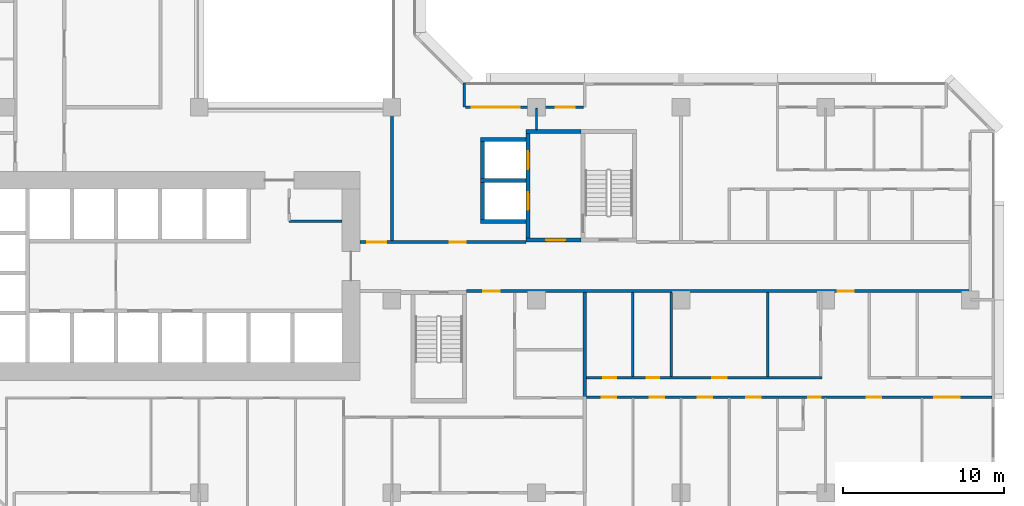
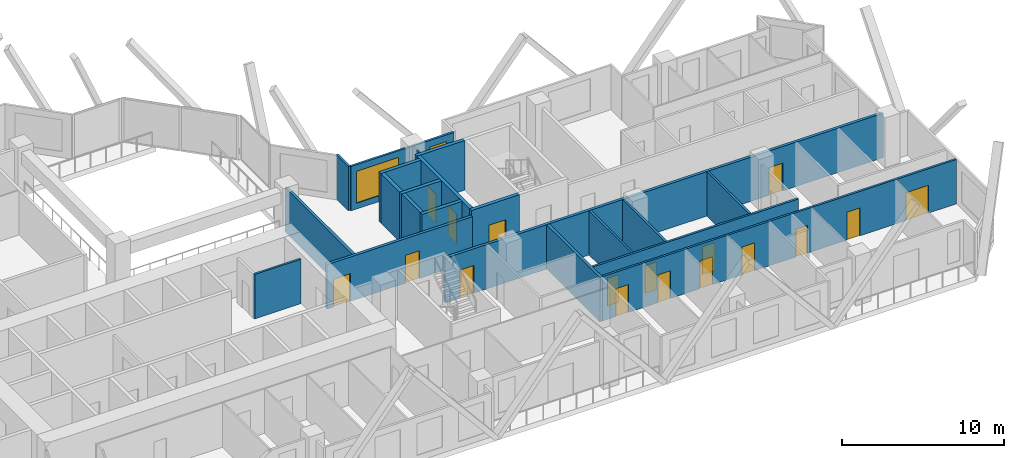
# One storey, part 7 of 16: 21 walls, 17 doors, 2 windows, 19 openings.
"""IFC4 building model written with IfcOpenShell, lengths in metres."""

from ifc_helpers import new_model, si_unit, direction, frame, frame_2d, origin, place, context, subcontext, project, spatial, rectangle, extrude, material, layer, layer_set, type_object, element, fill, save


model = new_model("IFC4")

# Units and contexts
model_context = context("Model", 3, precision=1e-05, world=origin(), true_north=direction((0.0, 1.0)))
body_context = subcontext(model_context, "Body", "Model", "MODEL_VIEW")
ifc_project = project(units=[si_unit("LENGTHUNIT", "METRE"), si_unit("AREAUNIT", "SQUARE_METRE"), si_unit("VOLUMEUNIT", "CUBIC_METRE"), si_unit("PLANEANGLEUNIT", "RADIAN"), si_unit("MASSUNIT", "GRAM", prefix="KILO")], contexts=[model_context])

# Site, building, storey
site_placement = place(None, origin())
site = spatial("IfcSite", under=ifc_project, at=site_placement, CompositionType="ELEMENT")
building_placement = place(site_placement, origin())
building = spatial("IfcBuilding", under=site, at=building_placement, Name="Chenar Terraces", CompositionType="ELEMENT")
storey_placement = place(building_placement, frame((0.0, 0.0, 71.39990234375)))
storey = spatial("IfcBuildingStorey", under=building, at=storey_placement, Name="L15", CompositionType="ELEMENT", Elevation=71.39990234375)

# Wall
ifc_material_1 = material(Name="Gypsum board on steel studs", Category="steel")
ifc_layer_1 = layer(ifc_material_1, 0.14990234375)
ifc_layer_set_1 = layer_set([ifc_layer_1], Name="Gypsum board on steel studs")
wall_type_1 = type_object("IfcWallType", Name="Core partition 150 gypsum board", PredefinedType="PARTITIONING", material=ifc_layer_set_1)
wall_1_placement = place(storey_placement, frame((29.60009765625, 16.89990234375, 0.0), z_axis=(0.0, 0.0, 1.0), x_axis=(1.0, 0.0, 0.0)))
element("IfcWall", 1, at=wall_1_placement, inside=storey, type_object=wall_type_1, Name="Core partition CP1 vestibule room south wall", PredefinedType="PARTITIONING", context=body_context, shape_type="SweptSolid", body=[
    extrude(rectangle(XDim=3.2998046875, YDim=0.14990234375, at=frame_2d((1.64990234375, 0.0))), origin(), (0.0, 0.0, 1.0), 3.35009765625),
])

# Wall, opening, door
ifc_material_2 = material(Name="Concrete C70/85", Category="concrete")
ifc_layer_2 = layer(ifc_material_2, 0.25)
ifc_layer_set_2 = layer_set([ifc_layer_2], Name="Concrete C70/85")
wall_type_2 = type_object("IfcWallType", Name="Core wall 250 Concrete C70/85", PredefinedType="SHEAR", material=ifc_layer_set_2)
wall_2_placement = place(storey_placement, frame((44.35009765625, 15.72509765625, 0.0), z_axis=(0.0, 0.0, 1.0), x_axis=(1.0, 0.0, 0.0)))
wall_2 = element("IfcWall", 2, at=wall_2_placement, inside=storey, type_object=wall_type_2, Name="Core wall F3_LS L15", PredefinedType="SHEAR", context=body_context, shape_type="SweptSolid", body=[
    extrude(rectangle(XDim=3.4248046875, YDim=0.25, at=frame_2d((1.71240234375, 0.0))), origin(), (0.0, 0.0, 1.0), 3.75),
])
opening_1_placement = place(wall_2_placement, frame((1.25, 0.0, 0.0)))
opening_1 = element("IfcOpeningElement", 3, at=opening_1_placement, cuts=wall_2, Name="Opening DL15-C10", PredefinedType="OPENING", context=body_context, shape_type="SweptSolid", body=[
    extrude(rectangle(XDim=1.199951171875, YDim=2.199951171875, at=frame_2d((0.60009765625, 1.10009765625))), frame((0.0, 0.135009765625, 0.0), z_axis=(0.0, -1.0, 0.0), x_axis=(1.0, 0.0, 0.0)), (0.0, 0.0, 1.0), 0.27001953125),
])
ifc_material_3 = material(Name="Steel-framed fire-resisting door leaf", Category="steel")
door_type_1 = type_object("IfcDoorType", Name="Lobby fire door FD60 1200 x 2200", OperationType="SINGLE_SWING_LEFT", PredefinedType="DOOR", material=ifc_material_3)
door_1_placement = place(opening_1_placement, origin())
door_1 = element("IfcDoor", 4, at=door_1_placement, inside=storey, type_object=door_type_1, Name="Core door DL15-C10", OperationType="SINGLE_SWING_RIGHT", OverallHeight=2.199951171875, OverallWidth=1.199951171875, PredefinedType="DOOR", context=body_context, shape_type="SweptSolid", body=[
    extrude(rectangle(XDim=1.199951171875, YDim=2.199951171875, at=frame_2d((0.60009765625, 1.10009765625))), frame((0.0, 0.02490234375, 0.0), z_axis=(0.0, -1.0, 0.0), x_axis=(1.0, 0.0, 0.0)), (0.0, 0.0, 1.0), 0.050048828125),
])
fill(opening_1, door_1)

# Wall
wall_3_placement = place(storey_placement, frame((44.35009765625, 22.47509765625, 0.0), z_axis=(0.0, 0.0, 1.0), x_axis=(1.0, 0.0, 0.0)))
element("IfcWall", 5, at=wall_3_placement, inside=storey, type_object=wall_type_2, Name="Core wall F3_LN L15", PredefinedType="SHEAR", context=body_context, shape_type="SweptSolid", body=[
    extrude(rectangle(XDim=3.4248046875, YDim=0.25, at=frame_2d((1.71240234375, 0.0))), origin(), (0.0, 0.0, 1.0), 3.75),
])

# Wall, openings, doors
wall_4_placement = place(storey_placement, frame((44.47509765625, 15.85009765625, 0.0), z_axis=(0.0, 0.0, 1.0), x_axis=(0.0, 1.0, 0.0)))
wall_4 = element("IfcWall", 6, at=wall_4_placement, inside=storey, type_object=wall_type_2, Name="Core wall F3_LW L15", PredefinedType="SHEAR", context=body_context, shape_type="SweptSolid", body=[
    extrude(rectangle(XDim=6.5, YDim=0.25, at=frame_2d((3.25, 0.0))), origin(), (0.0, 0.0, 1.0), 3.75),
])
opening_2_placement = place(wall_4_placement, frame((1.75, 0.0, 0.0)))
opening_2 = element("IfcOpeningElement", 7, at=opening_2_placement, cuts=wall_4, Name="Opening DL15-LD8", PredefinedType="OPENING", context=body_context, shape_type="SweptSolid", body=[
    extrude(rectangle(XDim=1.10009765625, YDim=2.199951171875, at=frame_2d((0.550048828125, 1.10009765625))), frame((0.0, 0.135009765625, 0.0), z_axis=(0.0, -1.0, 0.0), x_axis=(1.0, 0.0, 0.0)), (0.0, 0.0, 1.0), 0.27001953125),
])
opening_3_placement = place(wall_4_placement, frame((4.300048828125, 0.0, 0.0)))
opening_3 = element("IfcOpeningElement", 8, at=opening_3_placement, cuts=wall_4, Name="Opening DL15-LD9", PredefinedType="OPENING", context=body_context, shape_type="SweptSolid", body=[
    extrude(rectangle(XDim=1.10009765625, YDim=2.199951171875, at=frame_2d((0.550048828125, 1.10009765625))), frame((0.0, 0.135009765625, 0.0), z_axis=(0.0, -1.0, 0.0), x_axis=(1.0, 0.0, 0.0)), (0.0, 0.0, 1.0), 0.27001953125),
])
ifc_material_4 = material(Name="Stainless steel", Category="steel")
door_type_2 = type_object("IfcDoorType", Name="Lift landing door 1100 x 2200 sliding", OperationType="DOUBLE_DOOR_SLIDING", PredefinedType="DOOR", material=ifc_material_4)
door_2_placement = place(opening_2_placement, origin())
door_2 = element("IfcDoor", 9, at=door_2_placement, inside=storey, type_object=door_type_2, Name="Landing door F3", OperationType="DOUBLE_DOOR_SLIDING", OverallHeight=2.199951171875, OverallWidth=1.10009765625, PredefinedType="DOOR", context=body_context, shape_type="SweptSolid", body=[
    extrude(rectangle(XDim=1.10009765625, YDim=2.199951171875, at=frame_2d((0.550048828125, 1.10009765625))), frame((0.0, 0.02490234375, 0.0), z_axis=(0.0, -1.0, 0.0), x_axis=(1.0, 0.0, 0.0)), (0.0, 0.0, 1.0), 0.050048828125),
])
fill(opening_2, door_2)
door_3_placement = place(opening_3_placement, origin())
door_3 = element("IfcDoor", 10, at=door_3_placement, inside=storey, type_object=door_type_2, Name="Landing door F4", OperationType="DOUBLE_DOOR_SLIDING", OverallHeight=2.199951171875, OverallWidth=1.10009765625, PredefinedType="DOOR", context=body_context, shape_type="SweptSolid", body=[
    extrude(rectangle(XDim=1.10009765625, YDim=2.199951171875, at=frame_2d((0.550048828125, 1.10009765625))), frame((0.0, 0.02490234375, 0.0), z_axis=(0.0, -1.0, 0.0), x_axis=(1.0, 0.0, 0.0)), (0.0, 0.0, 1.0), 0.050048828125),
])
fill(opening_3, door_3)

# Walls
for number, where, z_axis, x_axis, name in (
    (11, (41.5, 16.875, 0.0), (0.0, 0.0, 1.0), (1.0, 0.0, 0.0), "Core wall F3_SS L15"),
    (12, (41.5, 19.425048828125, 0.0), (0.0, 0.0, 1.0), (1.0, 0.0, 0.0), "Core wall F3_SM L15"),
    (13, (41.5, 21.97509765625, 0.0), (0.0, 0.0, 1.0), (1.0, 0.0, 0.0), "Core wall F4_SN L15"),
):
    element("IfcWall", number, at=place(storey_placement, frame(where, z_axis=z_axis, x_axis=x_axis)), inside=storey, type_object=wall_type_2, Name=name, PredefinedType="SHEAR", context=body_context, shape_type="SweptSolid", body=[
        extrude(rectangle(XDim=2.85009765625, YDim=0.25, at=frame_2d((1.425048828125, 0.0))), origin(), (0.0, 0.0, 1.0), 3.75),
    ])
for number, where, z_axis, x_axis, name in (
    (14, (41.625, 17.0, 0.0), (0.0, 0.0, 1.0), (0.0, 1.0, 0.0), "Core wall F3_SW L15"),
    (15, (41.625, 19.550048828125, 0.0), (0.0, 0.0, 1.0), (0.0, 1.0, 0.0), "Core wall F4_SW L15"),
):
    element("IfcWall", number, at=place(storey_placement, frame(where, z_axis=z_axis, x_axis=x_axis)), inside=storey, type_object=wall_type_2, Name=name, PredefinedType="SHEAR", context=body_context, shape_type="SweptSolid", body=[
        extrude(rectangle(XDim=2.300048828125, YDim=0.25, at=frame_2d((1.14990234375, 0.0))), origin(), (0.0, 0.0, 1.0), 3.75),
    ])

# Wall, openings, doors
ifc_material_5 = material(Name="Gypsum board on steel studs with fire boards", Category="steel")
ifc_layer_3 = layer(ifc_material_5, 0.199951171875)
ifc_layer_set_3 = layer_set([ifc_layer_3], Name="Gypsum board on steel studs with fire boards")
wall_type_3 = type_object("IfcWallType", Name="Corridor wall 200", PredefinedType="PARTITIONING", material=ifc_layer_set_3)
wall_5_placement = place(storey_placement, frame((34.0, 15.60009765625, 0.0), z_axis=(0.0, 0.0, 1.0), x_axis=(1.0, 0.0, 0.0)))
wall_5 = element("IfcWall", 16, at=wall_5_placement, inside=storey, type_object=wall_type_3, Name="Partition L15-064", PredefinedType="PARTITIONING", context=body_context, shape_type="SweptSolid", body=[
    extrude(rectangle(XDim=10.35009765625, YDim=0.199951171875, at=frame_2d((5.175048828125, 0.0))), origin(), (0.0, 0.0, 1.0), 3.35009765625),
])
opening_4_placement = place(wall_5_placement, frame((5.60009765625, 0.0, 0.0)))
opening_4 = element("IfcOpeningElement", 17, at=opening_4_placement, cuts=wall_5, Name="Opening DL15-3", PredefinedType="OPENING", context=body_context, shape_type="SweptSolid", body=[
    extrude(rectangle(XDim=1.0, YDim=2.10009765625, at=frame_2d((0.5, 1.050048828125))), frame((0.0, 0.10986328125, 0.0), z_axis=(0.0, -1.0, 0.0), x_axis=(1.0, 0.0, 0.0)), (0.0, 0.0, 1.0), 0.219970703125),
])
opening_5_placement = place(wall_5_placement, frame((0.449951171875, 0.0, 0.0)))
opening_5 = element("IfcOpeningElement", 18, at=opening_5_placement, cuts=wall_5, Name="Opening DL15-52", PredefinedType="OPENING", context=body_context, shape_type="SweptSolid", body=[
    extrude(rectangle(XDim=1.199951171875, YDim=2.10009765625, at=frame_2d((0.60009765625, 1.050048828125))), frame((0.0, 0.10986328125, 0.0), z_axis=(0.0, -1.0, 0.0), x_axis=(1.0, 0.0, 0.0)), (0.0, 0.0, 1.0), 0.219970703125),
])
ifc_material_6 = material(Name="Steel-framed fire-resisting door leaf", Category="steel")
door_type_3 = type_object("IfcDoorType", Name="Fire door FD60 1000 x 2100", OperationType="SINGLE_SWING_LEFT", PredefinedType="DOOR", material=ifc_material_6)
door_4_placement = place(opening_4_placement, origin())
door_4 = element("IfcDoor", 19, at=door_4_placement, inside=storey, type_object=door_type_3, Name="Door DL15-3", OperationType="SINGLE_SWING_RIGHT", OverallHeight=2.10009765625, OverallWidth=1.0, PredefinedType="DOOR", context=body_context, shape_type="SweptSolid", body=[
    extrude(rectangle(XDim=1.0, YDim=2.10009765625, at=frame_2d((0.5, 1.050048828125))), frame((0.0, 0.02490234375, 0.0), z_axis=(0.0, -1.0, 0.0), x_axis=(1.0, 0.0, 0.0)), (0.0, 0.0, 1.0), 0.050048828125),
])
fill(opening_4, door_4)
ifc_material_7 = material(Name="Steel-framed fire-resisting door leaf", Category="steel")
door_type_4 = type_object("IfcDoorType", Name="Fire door FD60 1200 x 2100", OperationType="SINGLE_SWING_LEFT", PredefinedType="DOOR", material=ifc_material_7)
door_5_placement = place(opening_5_placement, origin())
door_5 = element("IfcDoor", 20, at=door_5_placement, inside=storey, type_object=door_type_4, Name="Door DL15-52", OperationType="SINGLE_SWING_RIGHT", OverallHeight=2.10009765625, OverallWidth=1.199951171875, PredefinedType="DOOR", context=body_context, shape_type="SweptSolid", body=[
    extrude(rectangle(XDim=1.199951171875, YDim=2.10009765625, at=frame_2d((0.60009765625, 1.050048828125))), frame((0.0, 0.02490234375, 0.0), z_axis=(0.0, -1.0, 0.0), x_axis=(1.0, 0.0, 0.0)), (0.0, 0.0, 1.0), 0.050048828125),
])
fill(opening_5, door_5)

# Wall
wall_6_placement = place(storey_placement, frame((36.0, 15.699951171875, 0.0), z_axis=(0.0, 0.0, 1.0), x_axis=(0.0, 1.0, 0.0)))
element("IfcWall", 21, at=wall_6_placement, inside=storey, type_object=wall_type_3, Name="Partition L15-066", PredefinedType="PARTITIONING", context=body_context, shape_type="SweptSolid", body=[
    extrude(rectangle(XDim=8.300048828125, YDim=0.199951171875, at=frame_2d((4.14990234375, 0.0))), origin(), (0.0, 0.0, 1.0), 3.35009765625),
])

# Wall, openings, doors
wall_7_placement = place(storey_placement, frame((40.64990234375, 12.550048828125, 0.0), z_axis=(0.0, 0.0, 1.0), x_axis=(1.0, 0.0, 0.0)))
wall_7 = element("IfcWall", 22, at=wall_7_placement, inside=storey, type_object=wall_type_3, Name="Partition L15-068", PredefinedType="PARTITIONING", context=body_context, shape_type="SweptSolid", body=[
    extrude(rectangle(XDim=31.276123046875, YDim=0.199951171875, at=frame_2d((15.63818359375, 0.0))), origin(), (0.0, 0.0, 1.0), 3.35009765625),
])
opening_6_placement = place(wall_7_placement, frame((23.10009765625, 0.0, 0.0)))
opening_6 = element("IfcOpeningElement", 23, at=opening_6_placement, cuts=wall_7, Name="Opening DL15-19", PredefinedType="OPENING", context=body_context, shape_type="SweptSolid", body=[
    extrude(rectangle(XDim=1.0, YDim=2.10009765625, at=frame_2d((0.5, 1.050048828125))), frame((0.0, 0.10986328125, 0.0), z_axis=(0.0, -1.0, 0.0), x_axis=(1.0, 0.0, 0.0)), (0.0, 0.0, 1.0), 0.219970703125),
])
opening_7_placement = place(wall_7_placement, frame((1.050048828125, 0.0, 0.0)))
opening_7 = element("IfcOpeningElement", 24, at=opening_7_placement, cuts=wall_7, Name="Opening DL15-66", PredefinedType="OPENING", context=body_context, shape_type="SweptSolid", body=[
    extrude(rectangle(XDim=1.0, YDim=2.10009765625, at=frame_2d((0.5, 1.050048828125))), frame((0.0, 0.10986328125, 0.0), z_axis=(0.0, -1.0, 0.0), x_axis=(1.0, 0.0, 0.0)), (0.0, 0.0, 1.0), 0.219970703125),
])
ifc_material_8 = material(Name="Steel-framed fire-resisting door leaf", Category="steel")
door_type_5 = type_object("IfcDoorType", Name="Fire door FD30S 1000 x 2100", OperationType="SINGLE_SWING_LEFT", PredefinedType="DOOR", material=ifc_material_8)
door_6_placement = place(opening_6_placement, frame((1.0, 0.0, 0.0), z_axis=(0.0, 0.0, 1.0), x_axis=(-1.0, 0.0, 0.0)))
door_6 = element("IfcDoor", 25, at=door_6_placement, inside=storey, type_object=door_type_5, Name="Door DL15-19", OperationType="SINGLE_SWING_RIGHT", OverallHeight=2.10009765625, OverallWidth=1.0, PredefinedType="DOOR", context=body_context, shape_type="SweptSolid", body=[
    extrude(rectangle(XDim=1.0, YDim=2.10009765625, at=frame_2d((0.5, 1.050048828125))), frame((0.0, 0.02490234375, 0.0), z_axis=(0.0, -1.0, 0.0), x_axis=(1.0, 0.0, 0.0)), (0.0, 0.0, 1.0), 0.050048828125),
])
fill(opening_6, door_6)
door_7_placement = place(opening_7_placement, origin())
door_7 = element("IfcDoor", 26, at=door_7_placement, inside=storey, type_object=door_type_5, Name="Door DL15-66", OperationType="SINGLE_SWING_RIGHT", OverallHeight=2.10009765625, OverallWidth=1.0, PredefinedType="DOOR", context=body_context, shape_type="SweptSolid", body=[
    extrude(rectangle(XDim=1.0, YDim=2.10009765625, at=frame_2d((0.5, 1.050048828125))), frame((0.0, 0.02490234375, 0.0), z_axis=(0.0, -1.0, 0.0), x_axis=(1.0, 0.0, 0.0)), (0.0, 0.0, 1.0), 0.050048828125),
])
fill(opening_7, door_7)

# Wall, openings, windows
ifc_material_9 = material(Name="Aluminium framed glazing", Category="aluminium")
ifc_layer_4 = layer(ifc_material_9, 0.14990234375)
ifc_layer_set_4 = layer_set([ifc_layer_4], Name="Aluminium framed glazing")
wall_type_4 = type_object("IfcWallType", Name="Glazed loggia back wall 150", PredefinedType="SOLIDWALL", material=ifc_layer_set_4)
wall_8_placement = place(storey_placement, frame((47.925048828125, 24.0, 0.0), z_axis=(0.0, 0.0, 1.0), x_axis=(-1.0, 0.0, 0.0)))
wall_8 = element("IfcWall", 27, at=wall_8_placement, inside=storey, type_object=wall_type_4, Name="Glazed loggia back wall", PredefinedType="SOLIDWALL", context=body_context, shape_type="SweptSolid", body=[
    extrude(rectangle(XDim=7.35009765625, YDim=0.14990234375, at=frame_2d((3.675048828125, 0.0))), origin(), (0.0, 0.0, 1.0), 3.35009765625),
])
opening_8_placement = place(wall_8_placement, frame((0.53759765625, 0.0, 0.449951171875)))
opening_8 = element("IfcOpeningElement", 28, at=opening_8_placement, cuts=wall_8, Name="Opening W120x240", PredefinedType="OPENING", context=body_context, shape_type="SweptSolid", body=[
    extrude(rectangle(XDim=1.199951171875, YDim=2.39990234375, at=frame_2d((0.60009765625, 1.199951171875))), frame((0.0, 0.0849609375, 0.0), z_axis=(0.0, -1.0, 0.0), x_axis=(1.0, 0.0, 0.0)), (0.0, 0.0, 1.0), 0.169921875),
])
opening_9_placement = place(wall_8_placement, frame((3.96240234375, 0.0, 0.449951171875)))
opening_9 = element("IfcOpeningElement", 29, at=opening_9_placement, cuts=wall_8, Name="Opening W300x240", PredefinedType="OPENING", context=body_context, shape_type="SweptSolid", body=[
    extrude(rectangle(XDim=3.0, YDim=2.39990234375, at=frame_2d((1.5, 1.199951171875))), frame((0.0, 0.0849609375, 0.0), z_axis=(0.0, -1.0, 0.0), x_axis=(1.0, 0.0, 0.0)), (0.0, 0.0, 1.0), 0.169921875),
])
ifc_material_10 = material(Name="Low emissivity double glazing, aluminium frame", Category="aluminium")
window_type_1 = type_object("IfcWindowType", Name="Fixed light 1200 x 2400", PartitioningType="SINGLE_PANEL", PredefinedType="WINDOW", material=ifc_material_10)
window_1_placement = place(opening_8_placement, origin())
window_1 = element("IfcWindow", 30, at=window_1_placement, inside=storey, type_object=window_type_1, Name="Window", OverallHeight=2.39990234375, OverallWidth=1.199951171875, PartitioningType="SINGLE_PANEL", PredefinedType="WINDOW", context=body_context, shape_type="SweptSolid", body=[
    extrude(rectangle(XDim=1.199951171875, YDim=2.39990234375, at=frame_2d((0.60009765625, 1.199951171875))), frame((0.0, 0.030029296875, 0.0), z_axis=(0.0, -1.0, 0.0), x_axis=(1.0, 0.0, 0.0)), (0.0, 0.0, 1.0), 0.06005859375),
])
fill(opening_8, window_1)
ifc_material_11 = material(Name="Low emissivity double glazing, aluminium frame", Category="aluminium")
window_type_2 = type_object("IfcWindowType", Name="Fixed light 3000 x 2400", PartitioningType="SINGLE_PANEL", PredefinedType="WINDOW", material=ifc_material_11)
window_2_placement = place(opening_9_placement, origin())
window_2 = element("IfcWindow", 31, at=window_2_placement, inside=storey, type_object=window_type_2, Name="Window", OverallHeight=2.39990234375, OverallWidth=3.0, PartitioningType="SINGLE_PANEL", PredefinedType="WINDOW", context=body_context, shape_type="SweptSolid", body=[
    extrude(rectangle(XDim=3.0, YDim=2.39990234375, at=frame_2d((1.5, 1.199951171875))), frame((0.0, 0.030029296875, 0.0), z_axis=(0.0, -1.0, 0.0), x_axis=(1.0, 0.0, 0.0)), (0.0, 0.0, 1.0), 0.06005859375),
])
fill(opening_9, window_2)

# Walls
ifc_material_12 = material(Name="Gypsum board on steel studs", Category="steel")
ifc_layer_5 = layer(ifc_material_12, 0.10009765625)
ifc_layer_set_5 = layer_set([ifc_layer_5], Name="Gypsum board on steel studs")
wall_type_5 = type_object("IfcWallType", Name="Gypsum partition 100", PredefinedType="PARTITIONING", material=ifc_layer_set_5)
wall_9_placement = place(storey_placement, frame((45.0, 22.60009765625, 0.0), z_axis=(0.0, 0.0, 1.0), x_axis=(0.0, 1.0, 0.0)))
element("IfcWall", 32, at=wall_9_placement, inside=storey, type_object=wall_type_5, Name="Partition L15-072", PredefinedType="PARTITIONING", context=body_context, shape_type="SweptSolid", body=[
    extrude(rectangle(XDim=1.325927734375, YDim=0.10009765625, at=frame_2d((0.6630859375, 0.0))), origin(), (0.0, 0.0, 1.0), 3.35009765625),
])
ifc_material_13 = material(Name="Terracotta cladding on insulated backing", Category="masonry")
ifc_layer_6 = layer(ifc_material_13, 0.14990234375)
ifc_layer_set_6 = layer_set([ifc_layer_6], Name="Terracotta cladding on insulated backing")
wall_type_6 = type_object("IfcWallType", Name="Loggia return wall 150", PredefinedType="SOLIDWALL", material=ifc_layer_set_6)
wall_10_placement = place(storey_placement, frame((40.5, 25.5, 0.0), z_axis=(0.0, 0.0, 1.0), x_axis=(0.0, -1.0, 0.0)))
element("IfcWall", 33, at=wall_10_placement, inside=storey, type_object=wall_type_6, Name="Loggia return wall", PredefinedType="SOLIDWALL", context=body_context, shape_type="SweptSolid", body=[
    extrude(rectangle(XDim=1.5, YDim=0.14990234375, at=frame_2d((0.75, 0.0))), origin(), (0.0, 0.0, 1.0), 3.35009765625),
])
ifc_material_14 = material(Name="Twin gypsum board on steel studs with mineral wool", Category="steel")
ifc_layer_7 = layer(ifc_material_14, 0.199951171875)
ifc_layer_set_7 = layer_set([ifc_layer_7], Name="Twin gypsum board on steel studs with mineral wool")
wall_type_7 = type_object("IfcWallType", Name="Unit demising wall 200", PredefinedType="PARTITIONING", material=ifc_layer_set_7)
wall_11_placement = place(storey_placement, frame((48.0, 5.875, 0.0), z_axis=(0.0, 0.0, 1.0), x_axis=(0.0, 1.0, 0.0)))
element("IfcWall", 34, at=wall_11_placement, inside=storey, type_object=wall_type_7, Name="Partition L15-074", PredefinedType="PARTITIONING", context=body_context, shape_type="SweptSolid", body=[
    extrude(rectangle(XDim=6.574951171875, YDim=0.199951171875, at=frame_2d((3.28759765625, 0.0))), origin(), (0.0, 0.0, 1.0), 3.35009765625),
])

# Wall, openings, doors
ifc_material_15 = material(Name="Moisture-resistant gypsum board on steel studs", Category="steel")
ifc_layer_8 = layer(ifc_material_15, 0.14990234375)
ifc_layer_set_8 = layer_set([ifc_layer_8], Name="Moisture-resistant gypsum board on steel studs")
wall_type_8 = type_object("IfcWallType", Name="Wet-room partition 150", PredefinedType="PARTITIONING", material=ifc_layer_set_8)
wall_12_placement = place(storey_placement, frame((48.10009765625, 5.949951171875, 0.0), z_axis=(0.0, 0.0, 1.0), x_axis=(1.0, 0.0, 0.0)))
wall_12 = element("IfcWall", 35, at=wall_12_placement, inside=storey, type_object=wall_type_8, Name="Partition L15-075", PredefinedType="PARTITIONING", context=body_context, shape_type="SweptSolid", body=[
    extrude(rectangle(XDim=25.25, YDim=0.14990234375, at=frame_2d((12.625, 0.0))), origin(), (0.0, 0.0, 1.0), 3.35009765625),
])
opening_10_placement = place(wall_12_placement, frame((0.949951171875, 0.0, 0.0)))
opening_10 = element("IfcOpeningElement", 36, at=opening_10_placement, cuts=wall_12, Name="Opening DL15-15", PredefinedType="OPENING", context=body_context, shape_type="SweptSolid", body=[
    extrude(rectangle(XDim=0.89990234375, YDim=2.10009765625, at=frame_2d((0.449951171875, 1.050048828125))), frame((0.0, 0.0849609375, 0.0), z_axis=(0.0, -1.0, 0.0), x_axis=(1.0, 0.0, 0.0)), (0.0, 0.0, 1.0), 0.169921875),
])
opening_11_placement = place(wall_12_placement, frame((3.949951171875, 0.0, 0.0)))
opening_11 = element("IfcOpeningElement", 37, at=opening_11_placement, cuts=wall_12, Name="Opening DL15-16", PredefinedType="OPENING", context=body_context, shape_type="SweptSolid", body=[
    extrude(rectangle(XDim=0.89990234375, YDim=2.10009765625, at=frame_2d((0.449951171875, 1.050048828125))), frame((0.0, 0.0849609375, 0.0), z_axis=(0.0, -1.0, 0.0), x_axis=(1.0, 0.0, 0.0)), (0.0, 0.0, 1.0), 0.169921875),
])
opening_12_placement = place(wall_12_placement, frame((6.949951171875, 0.0, 0.0)))
opening_12 = element("IfcOpeningElement", 38, at=opening_12_placement, cuts=wall_12, Name="Opening DL15-17", PredefinedType="OPENING", context=body_context, shape_type="SweptSolid", body=[
    extrude(rectangle(XDim=0.89990234375, YDim=2.10009765625, at=frame_2d((0.449951171875, 1.050048828125))), frame((0.0, 0.0849609375, 0.0), z_axis=(0.0, -1.0, 0.0), x_axis=(1.0, 0.0, 0.0)), (0.0, 0.0, 1.0), 0.169921875),
])
opening_13_placement = place(wall_12_placement, frame((9.949951171875, 0.0, 0.0)))
opening_13 = element("IfcOpeningElement", 39, at=opening_13_placement, cuts=wall_12, Name="Opening DL15-18", PredefinedType="OPENING", context=body_context, shape_type="SweptSolid", body=[
    extrude(rectangle(XDim=0.89990234375, YDim=2.10009765625, at=frame_2d((0.449951171875, 1.050048828125))), frame((0.0, 0.0849609375, 0.0), z_axis=(0.0, -1.0, 0.0), x_axis=(1.0, 0.0, 0.0)), (0.0, 0.0, 1.0), 0.169921875),
])
opening_14_placement = place(wall_12_placement, frame((17.449951171875, 0.0, 0.0)))
opening_14 = element("IfcOpeningElement", 40, at=opening_14_placement, cuts=wall_12, Name="Opening DL15-24", PredefinedType="OPENING", context=body_context, shape_type="SweptSolid", body=[
    extrude(rectangle(XDim=0.89990234375, YDim=2.10009765625, at=frame_2d((0.449951171875, 1.050048828125))), frame((0.0, 0.0849609375, 0.0), z_axis=(0.0, -1.0, 0.0), x_axis=(1.0, 0.0, 0.0)), (0.0, 0.0, 1.0), 0.169921875),
])
opening_15_placement = place(wall_12_placement, frame((13.800048828125, 0.0, 0.0)))
opening_15 = element("IfcOpeningElement", 41, at=opening_15_placement, cuts=wall_12, Name="Opening DL15-25", PredefinedType="OPENING", context=body_context, shape_type="SweptSolid", body=[
    extrude(rectangle(XDim=0.800048828125, YDim=2.10009765625, at=frame_2d((0.39990234375, 1.050048828125))), frame((0.0, 0.0849609375, 0.0), z_axis=(0.0, -1.0, 0.0), x_axis=(1.0, 0.0, 0.0)), (0.0, 0.0, 1.0), 0.169921875),
])
opening_16_placement = place(wall_12_placement, frame((21.64990234375, 0.0, 0.0)))
opening_16 = element("IfcOpeningElement", 42, at=opening_16_placement, cuts=wall_12, Name="Opening DL15-27", PredefinedType="OPENING", context=body_context, shape_type="SweptSolid", body=[
    extrude(rectangle(XDim=1.60009765625, YDim=2.10009765625, at=frame_2d((0.800048828125, 1.050048828125))), frame((0.0, 0.0849609375, 0.0), z_axis=(0.0, -1.0, 0.0), x_axis=(1.0, 0.0, 0.0)), (0.0, 0.0, 1.0), 0.169921875),
])
ifc_material_16 = material(Name="Veneered timber door leaf", Category="wood")
door_type_6 = type_object("IfcDoorType", Name="Door 800 x 2100", OperationType="SINGLE_SWING_LEFT", PredefinedType="DOOR", material=ifc_material_16)
door_8_placement = place(opening_15_placement, frame((0.800048828125, 0.0, 0.0), z_axis=(0.0, 0.0, 1.0), x_axis=(-1.0, 0.0, 0.0)))
door_8 = element("IfcDoor", 43, at=door_8_placement, inside=storey, type_object=door_type_6, Name="Door DL15-25", OperationType="SINGLE_SWING_LEFT", OverallHeight=2.10009765625, OverallWidth=0.800048828125, PredefinedType="DOOR", context=body_context, shape_type="SweptSolid", body=[
    extrude(rectangle(XDim=0.800048828125, YDim=2.10009765625, at=frame_2d((0.39990234375, 1.050048828125))), frame((0.0, 0.02490234375, 0.0), z_axis=(0.0, -1.0, 0.0), x_axis=(1.0, 0.0, 0.0)), (0.0, 0.0, 1.0), 0.050048828125),
])
fill(opening_15, door_8)
ifc_material_17 = material(Name="Veneered timber door leaf", Category="wood")
door_type_7 = type_object("IfcDoorType", Name="Door 900 x 2100", OperationType="SINGLE_SWING_LEFT", PredefinedType="DOOR", material=ifc_material_17)
door_9_placement = place(opening_10_placement, frame((0.89990234375, 0.0, 0.0), z_axis=(0.0, 0.0, 1.0), x_axis=(-1.0, 0.0, 0.0)))
door_9 = element("IfcDoor", 44, at=door_9_placement, inside=storey, type_object=door_type_7, Name="Door DL15-15", OperationType="SINGLE_SWING_LEFT", OverallHeight=2.10009765625, OverallWidth=0.89990234375, PredefinedType="DOOR", context=body_context, shape_type="SweptSolid", body=[
    extrude(rectangle(XDim=0.89990234375, YDim=2.10009765625, at=frame_2d((0.449951171875, 1.050048828125))), frame((0.0, 0.02490234375, 0.0), z_axis=(0.0, -1.0, 0.0), x_axis=(1.0, 0.0, 0.0)), (0.0, 0.0, 1.0), 0.050048828125),
])
fill(opening_10, door_9)
door_10_placement = place(opening_11_placement, frame((0.89990234375, 0.0, 0.0), z_axis=(0.0, 0.0, 1.0), x_axis=(-1.0, 0.0, 0.0)))
door_10 = element("IfcDoor", 45, at=door_10_placement, inside=storey, type_object=door_type_7, Name="Door DL15-16", OperationType="SINGLE_SWING_LEFT", OverallHeight=2.10009765625, OverallWidth=0.89990234375, PredefinedType="DOOR", context=body_context, shape_type="SweptSolid", body=[
    extrude(rectangle(XDim=0.89990234375, YDim=2.10009765625, at=frame_2d((0.449951171875, 1.050048828125))), frame((0.0, 0.02490234375, 0.0), z_axis=(0.0, -1.0, 0.0), x_axis=(1.0, 0.0, 0.0)), (0.0, 0.0, 1.0), 0.050048828125),
])
fill(opening_11, door_10)
door_11_placement = place(opening_12_placement, frame((0.89990234375, 0.0, 0.0), z_axis=(0.0, 0.0, 1.0), x_axis=(-1.0, 0.0, 0.0)))
door_11 = element("IfcDoor", 46, at=door_11_placement, inside=storey, type_object=door_type_7, Name="Door DL15-17", OperationType="SINGLE_SWING_LEFT", OverallHeight=2.10009765625, OverallWidth=0.89990234375, PredefinedType="DOOR", context=body_context, shape_type="SweptSolid", body=[
    extrude(rectangle(XDim=0.89990234375, YDim=2.10009765625, at=frame_2d((0.449951171875, 1.050048828125))), frame((0.0, 0.02490234375, 0.0), z_axis=(0.0, -1.0, 0.0), x_axis=(1.0, 0.0, 0.0)), (0.0, 0.0, 1.0), 0.050048828125),
])
fill(opening_12, door_11)
door_12_placement = place(opening_13_placement, frame((0.89990234375, 0.0, 0.0), z_axis=(0.0, 0.0, 1.0), x_axis=(-1.0, 0.0, 0.0)))
door_12 = element("IfcDoor", 47, at=door_12_placement, inside=storey, type_object=door_type_7, Name="Door DL15-18", OperationType="SINGLE_SWING_LEFT", OverallHeight=2.10009765625, OverallWidth=0.89990234375, PredefinedType="DOOR", context=body_context, shape_type="SweptSolid", body=[
    extrude(rectangle(XDim=0.89990234375, YDim=2.10009765625, at=frame_2d((0.449951171875, 1.050048828125))), frame((0.0, 0.02490234375, 0.0), z_axis=(0.0, -1.0, 0.0), x_axis=(1.0, 0.0, 0.0)), (0.0, 0.0, 1.0), 0.050048828125),
])
fill(opening_13, door_12)
door_13_placement = place(opening_14_placement, frame((0.89990234375, 0.0, 0.0), z_axis=(0.0, 0.0, 1.0), x_axis=(-1.0, 0.0, 0.0)))
door_13 = element("IfcDoor", 48, at=door_13_placement, inside=storey, type_object=door_type_7, Name="Door DL15-24", OperationType="SINGLE_SWING_LEFT", OverallHeight=2.10009765625, OverallWidth=0.89990234375, PredefinedType="DOOR", context=body_context, shape_type="SweptSolid", body=[
    extrude(rectangle(XDim=0.89990234375, YDim=2.10009765625, at=frame_2d((0.449951171875, 1.050048828125))), frame((0.0, 0.02490234375, 0.0), z_axis=(0.0, -1.0, 0.0), x_axis=(1.0, 0.0, 0.0)), (0.0, 0.0, 1.0), 0.050048828125),
])
fill(opening_14, door_13)
ifc_material_18 = material(Name="Veneered timber door leaf", Category="wood")
door_type_8 = type_object("IfcDoorType", Name="Double door 1600 x 2100", OperationType="DOUBLE_DOOR_SINGLE_SWING", PredefinedType="DOOR", material=ifc_material_18)
door_14_placement = place(opening_16_placement, frame((1.60009765625, 0.0, 0.0), z_axis=(0.0, 0.0, 1.0), x_axis=(-1.0, 0.0, 0.0)))
door_14 = element("IfcDoor", 49, at=door_14_placement, inside=storey, type_object=door_type_8, Name="Door DL15-27", OperationType="DOUBLE_DOOR_SINGLE_SWING", OverallHeight=2.10009765625, OverallWidth=1.60009765625, PredefinedType="DOOR", context=body_context, shape_type="SweptSolid", body=[
    extrude(rectangle(XDim=1.60009765625, YDim=2.10009765625, at=frame_2d((0.800048828125, 1.050048828125))), frame((0.0, 0.02490234375, 0.0), z_axis=(0.0, -1.0, 0.0), x_axis=(1.0, 0.0, 0.0)), (0.0, 0.0, 1.0), 0.050048828125),
])
fill(opening_16, door_14)

wall_13_placement = place(storey_placement, frame((48.10009765625, 7.14990234375, 0.0), z_axis=(0.0, 0.0, 1.0), x_axis=(1.0, 0.0, 0.0)))
wall_13 = element("IfcWall", 50, at=wall_13_placement, inside=storey, type_object=wall_type_8, Name="Partition L15-076", PredefinedType="PARTITIONING", context=body_context, shape_type="SweptSolid", body=[
    extrude(rectangle(XDim=14.6748046875, YDim=0.14990234375, at=frame_2d((7.33740234375, 0.0))), origin(), (0.0, 0.0, 1.0), 3.35009765625),
])
opening_17_placement = place(wall_13_placement, frame((3.75, 0.0, 0.0)))
opening_17 = element("IfcOpeningElement", 51, at=opening_17_placement, cuts=wall_13, Name="Opening DL15-14", PredefinedType="OPENING", context=body_context, shape_type="SweptSolid", body=[
    extrude(rectangle(XDim=0.800048828125, YDim=2.10009765625, at=frame_2d((0.39990234375, 1.050048828125))), frame((0.0, 0.0849609375, 0.0), z_axis=(0.0, -1.0, 0.0), x_axis=(1.0, 0.0, 0.0)), (0.0, 0.0, 1.0), 0.169921875),
])
opening_18_placement = place(wall_13_placement, frame((7.85009765625, 0.0, 0.0)))
opening_18 = element("IfcOpeningElement", 52, at=opening_18_placement, cuts=wall_13, Name="Opening DL15-20", PredefinedType="OPENING", context=body_context, shape_type="SweptSolid", body=[
    extrude(rectangle(XDim=0.89990234375, YDim=2.10009765625, at=frame_2d((0.449951171875, 1.050048828125))), frame((0.0, 0.0849609375, 0.0), z_axis=(0.0, -1.0, 0.0), x_axis=(1.0, 0.0, 0.0)), (0.0, 0.0, 1.0), 0.169921875),
])
opening_19_placement = place(wall_13_placement, frame((1.050048828125, 0.0, 0.0)))
opening_19 = element("IfcOpeningElement", 53, at=opening_19_placement, cuts=wall_13, Name="Opening DL15-21", PredefinedType="OPENING", context=body_context, shape_type="SweptSolid", body=[
    extrude(rectangle(XDim=0.800048828125, YDim=2.10009765625, at=frame_2d((0.39990234375, 1.050048828125))), frame((0.0, 0.0849609375, 0.0), z_axis=(0.0, -1.0, 0.0), x_axis=(1.0, 0.0, 0.0)), (0.0, 0.0, 1.0), 0.169921875),
])
door_15_placement = place(opening_17_placement, origin())
door_15 = element("IfcDoor", 54, at=door_15_placement, inside=storey, type_object=door_type_6, Name="Door DL15-14", OperationType="SINGLE_SWING_RIGHT", OverallHeight=2.10009765625, OverallWidth=0.800048828125, PredefinedType="DOOR", context=body_context, shape_type="SweptSolid", body=[
    extrude(rectangle(XDim=0.800048828125, YDim=2.10009765625, at=frame_2d((0.39990234375, 1.050048828125))), frame((0.0, 0.02490234375, 0.0), z_axis=(0.0, -1.0, 0.0), x_axis=(1.0, 0.0, 0.0)), (0.0, 0.0, 1.0), 0.050048828125),
])
fill(opening_17, door_15)
door_16_placement = place(opening_19_placement, origin())
door_16 = element("IfcDoor", 55, at=door_16_placement, inside=storey, type_object=door_type_6, Name="Door DL15-21", OperationType="SINGLE_SWING_RIGHT", OverallHeight=2.10009765625, OverallWidth=0.800048828125, PredefinedType="DOOR", context=body_context, shape_type="SweptSolid", body=[
    extrude(rectangle(XDim=0.800048828125, YDim=2.10009765625, at=frame_2d((0.39990234375, 1.050048828125))), frame((0.0, 0.02490234375, 0.0), z_axis=(0.0, -1.0, 0.0), x_axis=(1.0, 0.0, 0.0)), (0.0, 0.0, 1.0), 0.050048828125),
])
fill(opening_19, door_16)
door_17_placement = place(opening_18_placement, origin())
door_17 = element("IfcDoor", 56, at=door_17_placement, inside=storey, type_object=door_type_7, Name="Door DL15-20", OperationType="SINGLE_SWING_RIGHT", OverallHeight=2.10009765625, OverallWidth=0.89990234375, PredefinedType="DOOR", context=body_context, shape_type="SweptSolid", body=[
    extrude(rectangle(XDim=0.89990234375, YDim=2.10009765625, at=frame_2d((0.449951171875, 1.050048828125))), frame((0.0, 0.02490234375, 0.0), z_axis=(0.0, -1.0, 0.0), x_axis=(1.0, 0.0, 0.0)), (0.0, 0.0, 1.0), 0.050048828125),
])
fill(opening_18, door_17)

# Walls
for number, where, z_axis, x_axis, name in (
    (57, (51.0, 7.22509765625, 0.0), (0.0, 0.0, 1.0), (0.0, 1.0, 0.0), "Partition L15-078"),
    (58, (53.39990234375, 7.22509765625, 0.0), (0.0, 0.0, 1.0), (0.0, 1.0, 0.0), "Partition L15-080"),
    (59, (59.39990234375, 7.22509765625, 0.0), (0.0, 0.0, 1.0), (0.0, 1.0, 0.0), "Partition L15-086"),
):
    element("IfcWall", number, at=place(storey_placement, frame(where, z_axis=z_axis, x_axis=x_axis)), inside=storey, type_object=wall_type_8, Name=name, PredefinedType="PARTITIONING", context=body_context, shape_type="SweptSolid", body=[
        extrude(rectangle(XDim=5.224853515625, YDim=0.14990234375, at=frame_2d((2.6123046875, 0.0))), origin(), (0.0, 0.0, 1.0), 3.35009765625),
    ])

save(model, "model.ifc")
